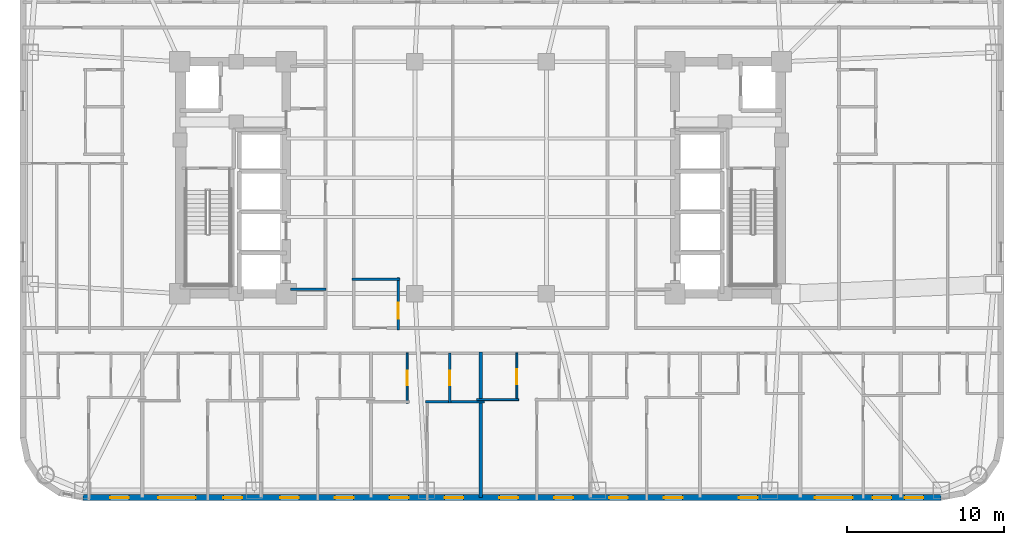
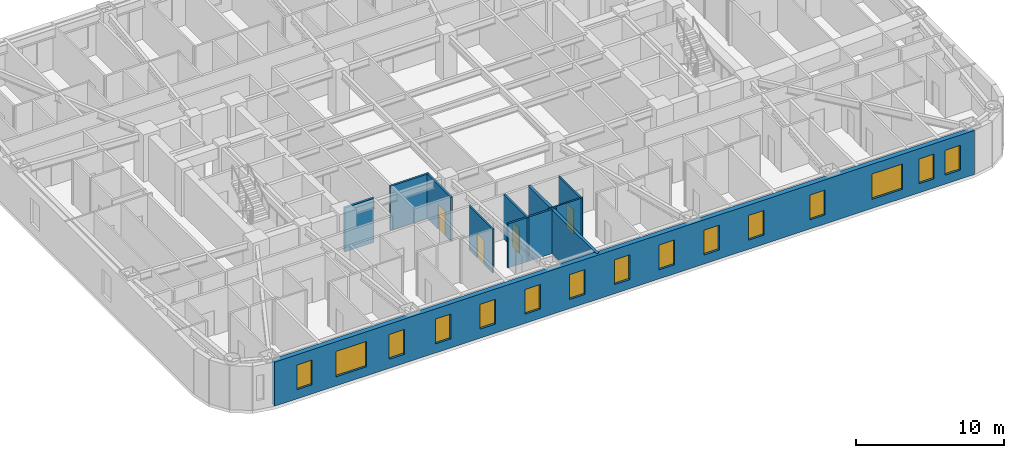
# One storey, part 4 of 13: 15 windows, 10 walls, 4 doors, 19 openings.
"""IFC4 building model written with IfcOpenShell, lengths in metres."""

import ifcopenshell
import ifcopenshell.guid

model = None  # the IFC model being written
_history = None  # IfcOwnerHistory: only IFC2X3 demands one
_inside = {}  # id of a spatial element -> (the spatial element, [elements in it])
_under = {}  # id of a project, library or spatial element -> (it, [spatial elements below it])
_declared = {}  # id of a project -> (the project, [libraries it declares])
_typed = {}  # id of a type object -> (the type object, [elements of that type])
_made_of = {}  # id of a material, layer set ... -> (it, [elements and type objects made of it])


def new_model(schema):
    """Start an empty IFC model of exactly this schema.

    Asked for "IFC4X3", IfcOpenShell would pick the latest addendum, in which some entities
    have other attributes; the version numbers below select the first issue.
    IFC2X3 requires an IfcOwnerHistory on every rooted entity: one is made here for all.
    """
    global model, _history
    if schema == "IFC4X3":
        model = ifcopenshell.file(schema_version=(4, 3, 0, 0))
    else:
        model = ifcopenshell.file(schema=schema)
    _inside.clear()
    _under.clear()
    _declared.clear()
    _typed.clear()
    _made_of.clear()
    _history = None
    if model.schema == "IFC2X3":
        org = make("IfcOrganization", Name="unknown")
        user = make(
            "IfcPersonAndOrganization",
            ThePerson=make("IfcPerson", FamilyName="unknown"),
            TheOrganization=org,
        )
        app = make(
            "IfcApplication",
            ApplicationDeveloper=org,
            Version="unknown",
            ApplicationFullName="unknown",
            ApplicationIdentifier="unknown",
        )
        _history = make(
            "IfcOwnerHistory",
            OwningUser=user,
            OwningApplication=app,
            ChangeAction="ADDED",
            CreationDate=0,
        )
    return model


def make(cls, **values):
    """One entity of the class cls with the attributes given. An attribute that is None is left unset."""
    return model.create_entity(
        cls, **{name: value for name, value in values.items() if value is not None}
    )


def rooted(cls, **values):
    """An entity with a GlobalId (a new one), such as an element, a storey or a relation."""
    return make(cls, GlobalId=ifcopenshell.guid.new(), OwnerHistory=_history, **values)


def si_unit(unit_type, name, prefix=None):
    """IfcSIUnit, for example si_unit("LENGTHUNIT", "METRE", prefix="MILLI")."""
    return make("IfcSIUnit", UnitType=unit_type, Prefix=prefix, Name=name)


def assignment(units):
    """IfcUnitAssignment: the units of a project."""
    return None if units is None else make("IfcUnitAssignment", Units=units)


def point(xyz):
    """IfcCartesianPoint."""
    return None if xyz is None else make("IfcCartesianPoint", Coordinates=xyz)


def direction(xyz):
    """IfcDirection."""
    return None if xyz is None else make("IfcDirection", DirectionRatios=xyz)


def frame(location, z_axis=None, x_axis=None):
    """IfcAxis2Placement3D, a coordinate frame: its origin and axes. An axis left out is left unset."""
    return make(
        "IfcAxis2Placement3D",
        Location=point(location),
        Axis=direction(z_axis),
        RefDirection=direction(x_axis),
    )


def frame_2d(location, x_axis=None):
    """IfcAxis2Placement2D, a coordinate frame in the plane: its origin and x axis."""
    return make(
        "IfcAxis2Placement2D", Location=point(location), RefDirection=direction(x_axis)
    )


def origin():
    """The frame at (0, 0, 0) with its axes left unset."""
    return frame((0.0, 0.0, 0.0))


def place(relative_to, where):
    """IfcLocalPlacement: puts the frame where relative to a parent placement (None: the world)."""
    return make(
        "IfcLocalPlacement", PlacementRelTo=relative_to, RelativePlacement=where
    )


def context(
    kind, dimensions, precision=None, world=None, true_north=None, identifier=None
):
    """IfcGeometricRepresentationContext, for example the 3D "Model" context."""
    return make(
        "IfcGeometricRepresentationContext",
        ContextIdentifier=identifier,
        ContextType=kind,
        CoordinateSpaceDimension=dimensions,
        Precision=precision,
        WorldCoordinateSystem=world,
        TrueNorth=true_north,
    )


def subcontext(parent, identifier, kind, view, scale=None):
    """IfcGeometricRepresentationSubContext, for example "Body" below "Model"."""
    return make(
        "IfcGeometricRepresentationSubContext",
        ContextIdentifier=identifier,
        ContextType=kind,
        ParentContext=parent,
        TargetScale=scale,
        TargetView=view,
    )


def project(units=None, contexts=None):
    """IfcProject with its units and contexts."""
    return rooted(
        "IfcProject",
        Name="project",
        RepresentationContexts=contexts,
        UnitsInContext=assignment(units),
    )


def spatial(cls, under=None, at=None, **own):
    """A site, building, storey or space (cls), placed at a placement, below another one or the project."""
    s = rooted(cls, ObjectPlacement=at, **own)
    if under is not None:
        _under.setdefault(under.id(), (under, []))[1].append(s)
    return s


def profile(cls, at=None, kind="AREA", **sizes):
    """A parametric profile (cls). Its sizes go by their IFC names, for example OverallWidth=200.0."""
    return make(cls, ProfileType=kind, Position=at, **sizes)


def rectangle(**sizes):
    """IfcRectangleProfileDef."""
    return profile("IfcRectangleProfileDef", **sizes)


def extrude(swept, where, along, depth):
    """IfcExtrudedAreaSolid: the profile swept, set in the frame where, extruded along a direction by depth."""
    return make(
        "IfcExtrudedAreaSolid",
        SweptArea=swept,
        Position=where,
        ExtrudedDirection=direction(along),
        Depth=depth,
    )


def shape(context_of_items, identifier, shape_type, items):
    """IfcShapeRepresentation: the items that make up one representation, for example the "Body"."""
    return make(
        "IfcShapeRepresentation",
        ContextOfItems=context_of_items,
        RepresentationIdentifier=identifier,
        RepresentationType=shape_type,
        Items=items,
    )


def material(Name=None, Category=None):
    """IfcMaterial."""
    return make("IfcMaterial", Name=Name, Category=Category)


def layer(
    of_material, thickness, ventilated=None, Name=None, Category=None, Priority=None
):
    """IfcMaterialLayer: one layer of a wall or slab, of a material (None: an air gap)."""
    return make(
        "IfcMaterialLayer",
        Material=of_material,
        LayerThickness=thickness,
        IsVentilated=ventilated,
        Name=Name,
        Category=Category,
        Priority=Priority,
    )


def layer_set(layers, Name=None):
    """IfcMaterialLayerSet."""
    return make("IfcMaterialLayerSet", MaterialLayers=layers, LayerSetName=Name)


def made_of(thing, what):
    """Note that an element or type object is made of a material, layer set ...; save() writes the relation."""
    if what is not None:
        _made_of.setdefault(what.id(), (what, []))[1].append(thing)
    return thing


def type_object(cls, material=None, **own):
    """A type object (cls), such as IfcWallType, which elements share."""
    return made_of(rooted(cls, **own), material)


def element(
    cls,
    number,
    at=None,
    inside=None,
    cuts=None,
    type_object=None,
    material=None,
    context=None,
    identifier="Body",
    shape_type=None,
    held_by="IfcProductDefinitionShape",
    body=None,
    shapes=None,
    **own,
):
    """One element of the class cls, such as IfcWall. Its Tag is "e" and its number.

    at: its placement. inside: the storey or other place that contains it. cuts: it is an
    opening in that element (IfcRelVoidsElement). A single representation is given by context,
    identifier, shape_type and body (its items); several are given by shapes. held_by: the class
    of the entity that holds the representations. save() writes the other relations.
    """
    e = rooted(cls, Tag="e%d" % number, ObjectPlacement=at, **own)
    if body is not None:
        shapes = [shape(context, identifier, shape_type, body)]
    if shapes is not None:
        e.Representation = make(held_by, Representations=shapes)
    if inside is not None:
        _inside.setdefault(inside.id(), (inside, []))[1].append(e)
    if cuts is not None:
        rooted(
            "IfcRelVoidsElement", RelatingBuildingElement=cuts, RelatedOpeningElement=e
        )
    if type_object is not None:
        _typed.setdefault(type_object.id(), (type_object, []))[1].append(e)
    return made_of(e, material)


def fill(opening, filler):
    """IfcRelFillsElement: the door or window that sits in an opening."""
    return rooted(
        "IfcRelFillsElement",
        RelatingOpeningElement=opening,
        RelatedBuildingElement=filler,
    )


def aggregate(whole, parts):
    """IfcRelAggregates: a whole, such as a stair, and the parts it consists of."""
    return rooted("IfcRelAggregates", RelatingObject=whole, RelatedObjects=parts)


def save(model, path):
    """Write the relations noted so far, then the file.

    IfcRelAggregates (storeys below a building ...), IfcRelContainedInSpatialStructure (elements
    in a storey), IfcRelDefinesByType, IfcRelAssociatesMaterial and IfcRelDeclares: one each for
    every whole, place, type object, material and project.
    """
    for whole, parts in _under.values():
        aggregate(whole, parts)
    for where, things in _inside.values():
        rooted(
            "IfcRelContainedInSpatialStructure",
            RelatedElements=things,
            RelatingStructure=where,
        )
    for kind, things in _typed.values():
        rooted("IfcRelDefinesByType", RelatedObjects=things, RelatingType=kind)
    for what, things in _made_of.values():
        rooted("IfcRelAssociatesMaterial", RelatedObjects=things, RelatingMaterial=what)
    for by, libraries in _declared.values():
        rooted("IfcRelDeclares", RelatingContext=by, RelatedDefinitions=libraries)
    model.write(path)


model = new_model("IFC4")

# Units and contexts
model_context = context("Model", 3, precision=1e-05, world=origin(), true_north=direction((0.0, 1.0)))
body_context = subcontext(model_context, "Body", "Model", "MODEL_VIEW")
ifc_project = project(units=[si_unit("LENGTHUNIT", "METRE"), si_unit("AREAUNIT", "SQUARE_METRE"), si_unit("VOLUMEUNIT", "CUBIC_METRE"), si_unit("PLANEANGLEUNIT", "RADIAN"), si_unit("MASSUNIT", "GRAM", prefix="KILO")], contexts=[model_context])

# Site, building, storey
site_placement = place(None, origin())
site = spatial("IfcSite", under=ifc_project, at=site_placement, CompositionType="ELEMENT")
building_placement = place(site_placement, origin())
building = spatial("IfcBuilding", under=site, at=building_placement, Name="Voryun Gate Residences", CompositionType="ELEMENT")
storey_placement = place(building_placement, frame((0.0, 0.0, 120.89990234375)))
storey = spatial("IfcBuildingStorey", under=building, at=storey_placement, Name="L29", CompositionType="ELEMENT", Elevation=120.89990234375)

# Wall
ifc_material_1 = material(Name="Gypsum acoustic fireboard")
ifc_layer_1 = layer(ifc_material_1, 0.179931640625, Name="W_CORR_RATED_180")
ifc_layer_set_1 = layer_set([ifc_layer_1], Name="Gypsum acoustic fireboard")
wall_type_1 = type_object("IfcWallType", Name="W_CORR_RATED_180", PredefinedType="PARTITIONING", material=ifc_layer_set_1)
wall_1_placement = place(storey_placement, frame((-12.14990234375, -7.1201171875, 0.0), z_axis=(0.0, 0.0, 1.0), x_axis=(1.0, 0.0, 0.0)))
element("IfcWall", 1, at=wall_1_placement, inside=storey, type_object=wall_type_1, Name="Partition wall WP-L29-PLBS-W", PredefinedType="PARTITIONING", context=body_context, shape_type="SweptSolid", body=[
    extrude(rectangle(XDim=2.27001953125, YDim=0.179931640625, at=frame_2d((1.135009765625, 0.0))), origin(), (0.0, 0.0, 1.0), 3.650146484375),
])

# Wall, openings, windows
ifc_material_2 = material(Name="Granite masonry", Category="masonry")
ifc_layer_2 = layer(ifc_material_2, 0.3798828125, Name="W_EXT_GRANITE_380")
ifc_layer_set_2 = layer_set([ifc_layer_2], Name="Granite masonry")
wall_type_2 = type_object("IfcWallType", Name="W_EXT_GRANITE_380", PredefinedType="ELEMENTEDWALL", material=ifc_layer_set_2)
wall_2_placement = place(storey_placement, frame((29.38134765625, -20.409912109375, 0.0), z_axis=(0.0, 0.0, 1.0), x_axis=(-1.0, 0.0, 0.0)))
wall_2 = element("IfcWall", 2, at=wall_2_placement, inside=storey, type_object=wall_type_2, Name="Exterior wall WEXT-L29-01", PredefinedType="ELEMENTEDWALL", context=body_context, shape_type="SweptSolid", body=[
    extrude(rectangle(XDim=54.7626953125, YDim=0.3798828125, at=frame_2d((27.38134765625, 0.0))), origin(), (0.0, 0.0, 1.0), 3.650146484375),
])
opening_1_placement = place(wall_2_placement, frame((5.645263671875, 0.0, 0.75)))
opening_1 = element("IfcOpeningElement", 3, at=opening_1_placement, cuts=wall_2, Name="Opening WN2", PredefinedType="OPENING", context=body_context, shape_type="SweptSolid", body=[
    extrude(rectangle(XDim=2.39990234375, YDim=2.10009765625, at=frame_2d((1.199951171875, 1.050048828125))), frame((0.0, 0.199951171875, 0.0), z_axis=(0.0, -1.0, 0.0), x_axis=(1.0, 0.0, 0.0)), (0.0, 0.0, 1.0), 0.39990234375),
])
opening_2_placement = place(wall_2_placement, frame((47.5673828125, 0.0, 0.75)))
opening_2 = element("IfcOpeningElement", 4, at=opening_2_placement, cuts=wall_2, Name="Opening WN2", PredefinedType="OPENING", context=body_context, shape_type="SweptSolid", body=[
    extrude(rectangle(XDim=2.39990234375, YDim=2.10009765625, at=frame_2d((1.199951171875, 1.050048828125))), frame((0.0, 0.199951171875, 0.0), z_axis=(0.0, -1.0, 0.0), x_axis=(1.0, 0.0, 0.0)), (0.0, 0.0, 1.0), 0.39990234375),
])
opening_3_placement = place(wall_2_placement, frame((51.831298828125, 0.0, 0.75)))
opening_3 = element("IfcOpeningElement", 5, at=opening_3_placement, cuts=wall_2, Name="Opening WN6", PredefinedType="OPENING", context=body_context, shape_type="SweptSolid", body=[
    extrude(rectangle(XDim=1.199951171875, YDim=2.050048828125, at=frame_2d((0.60009765625, 1.02490234375))), frame((0.0, 0.199951171875, 0.0), z_axis=(0.0, -1.0, 0.0), x_axis=(1.0, 0.0, 0.0)), (0.0, 0.0, 1.0), 0.39990234375),
])
opening_4_placement = place(wall_2_placement, frame((44.606201171875, 0.0, 0.75)))
opening_4 = element("IfcOpeningElement", 6, at=opening_4_placement, cuts=wall_2, Name="Opening WN6", PredefinedType="OPENING", context=body_context, shape_type="SweptSolid", body=[
    extrude(rectangle(XDim=1.199951171875, YDim=2.050048828125, at=frame_2d((0.60009765625, 1.02490234375))), frame((0.0, 0.199951171875, 0.0), z_axis=(0.0, -1.0, 0.0), x_axis=(1.0, 0.0, 0.0)), (0.0, 0.0, 1.0), 0.39990234375),
])
opening_5_placement = place(wall_2_placement, frame((40.986328125, 0.0, 0.75)))
opening_5 = element("IfcOpeningElement", 7, at=opening_5_placement, cuts=wall_2, Name="Opening WN6", PredefinedType="OPENING", context=body_context, shape_type="SweptSolid", body=[
    extrude(rectangle(XDim=1.199951171875, YDim=2.050048828125, at=frame_2d((0.60009765625, 1.02490234375))), frame((0.0, 0.199951171875, 0.0), z_axis=(0.0, -1.0, 0.0), x_axis=(1.0, 0.0, 0.0)), (0.0, 0.0, 1.0), 0.39990234375),
])
opening_6_placement = place(wall_2_placement, frame((37.486328125, 0.0, 0.75)))
opening_6 = element("IfcOpeningElement", 8, at=opening_6_placement, cuts=wall_2, Name="Opening WN6", PredefinedType="OPENING", context=body_context, shape_type="SweptSolid", body=[
    extrude(rectangle(XDim=1.199951171875, YDim=2.050048828125, at=frame_2d((0.60009765625, 1.02490234375))), frame((0.0, 0.199951171875, 0.0), z_axis=(0.0, -1.0, 0.0), x_axis=(1.0, 0.0, 0.0)), (0.0, 0.0, 1.0), 0.39990234375),
])
opening_7_placement = place(wall_2_placement, frame((33.986328125, 0.0, 0.75)))
opening_7 = element("IfcOpeningElement", 9, at=opening_7_placement, cuts=wall_2, Name="Opening WN6", PredefinedType="OPENING", context=body_context, shape_type="SweptSolid", body=[
    extrude(rectangle(XDim=1.199951171875, YDim=2.050048828125, at=frame_2d((0.60009765625, 1.02490234375))), frame((0.0, 0.199951171875, 0.0), z_axis=(0.0, -1.0, 0.0), x_axis=(1.0, 0.0, 0.0)), (0.0, 0.0, 1.0), 0.39990234375),
])
opening_8_placement = place(wall_2_placement, frame((30.486328125, 0.0, 0.75)))
opening_8 = element("IfcOpeningElement", 10, at=opening_8_placement, cuts=wall_2, Name="Opening WN6", PredefinedType="OPENING", context=body_context, shape_type="SweptSolid", body=[
    extrude(rectangle(XDim=1.199951171875, YDim=2.050048828125, at=frame_2d((0.60009765625, 1.02490234375))), frame((0.0, 0.199951171875, 0.0), z_axis=(0.0, -1.0, 0.0), x_axis=(1.0, 0.0, 0.0)), (0.0, 0.0, 1.0), 0.39990234375),
])
opening_9_placement = place(wall_2_placement, frame((26.986328125, 0.0, 0.75)))
opening_9 = element("IfcOpeningElement", 11, at=opening_9_placement, cuts=wall_2, Name="Opening WN6", PredefinedType="OPENING", context=body_context, shape_type="SweptSolid", body=[
    extrude(rectangle(XDim=1.199951171875, YDim=2.050048828125, at=frame_2d((0.60009765625, 1.02490234375))), frame((0.0, 0.199951171875, 0.0), z_axis=(0.0, -1.0, 0.0), x_axis=(1.0, 0.0, 0.0)), (0.0, 0.0, 1.0), 0.39990234375),
])
opening_10_placement = place(wall_2_placement, frame((23.486328125, 0.0, 0.75)))
opening_10 = element("IfcOpeningElement", 12, at=opening_10_placement, cuts=wall_2, Name="Opening WN6", PredefinedType="OPENING", context=body_context, shape_type="SweptSolid", body=[
    extrude(rectangle(XDim=1.199951171875, YDim=2.050048828125, at=frame_2d((0.60009765625, 1.02490234375))), frame((0.0, 0.199951171875, 0.0), z_axis=(0.0, -1.0, 0.0), x_axis=(1.0, 0.0, 0.0)), (0.0, 0.0, 1.0), 0.39990234375),
])
opening_11_placement = place(wall_2_placement, frame((19.986328125, 0.0, 0.75)))
opening_11 = element("IfcOpeningElement", 13, at=opening_11_placement, cuts=wall_2, Name="Opening WN6", PredefinedType="OPENING", context=body_context, shape_type="SweptSolid", body=[
    extrude(rectangle(XDim=1.199951171875, YDim=2.050048828125, at=frame_2d((0.60009765625, 1.02490234375))), frame((0.0, 0.199951171875, 0.0), z_axis=(0.0, -1.0, 0.0), x_axis=(1.0, 0.0, 0.0)), (0.0, 0.0, 1.0), 0.39990234375),
])
opening_12_placement = place(wall_2_placement, frame((16.486328125, 0.0, 0.75)))
opening_12 = element("IfcOpeningElement", 14, at=opening_12_placement, cuts=wall_2, Name="Opening WN6", PredefinedType="OPENING", context=body_context, shape_type="SweptSolid", body=[
    extrude(rectangle(XDim=1.199951171875, YDim=2.050048828125, at=frame_2d((0.60009765625, 1.02490234375))), frame((0.0, 0.199951171875, 0.0), z_axis=(0.0, -1.0, 0.0), x_axis=(1.0, 0.0, 0.0)), (0.0, 0.0, 1.0), 0.39990234375),
])
opening_13_placement = place(wall_2_placement, frame((11.6982421875, 0.0, 0.75)))
opening_13 = element("IfcOpeningElement", 15, at=opening_13_placement, cuts=wall_2, Name="Opening WN6", PredefinedType="OPENING", context=body_context, shape_type="SweptSolid", body=[
    extrude(rectangle(XDim=1.199951171875, YDim=2.050048828125, at=frame_2d((0.60009765625, 1.02490234375))), frame((0.0, 0.199951171875, 0.0), z_axis=(0.0, -1.0, 0.0), x_axis=(1.0, 0.0, 0.0)), (0.0, 0.0, 1.0), 0.39990234375),
])
opening_14_placement = place(wall_2_placement, frame((3.171875, 0.0, 0.75)))
opening_14 = element("IfcOpeningElement", 16, at=opening_14_placement, cuts=wall_2, Name="Opening WN6", PredefinedType="OPENING", context=body_context, shape_type="SweptSolid", body=[
    extrude(rectangle(XDim=1.199951171875, YDim=2.050048828125, at=frame_2d((0.60009765625, 1.02490234375))), frame((0.0, 0.199951171875, 0.0), z_axis=(0.0, -1.0, 0.0), x_axis=(1.0, 0.0, 0.0)), (0.0, 0.0, 1.0), 0.39990234375),
])
opening_15_placement = place(wall_2_placement, frame((1.129638671875, 0.0, 0.75)))
opening_15 = element("IfcOpeningElement", 17, at=opening_15_placement, cuts=wall_2, Name="Opening WN6", PredefinedType="OPENING", context=body_context, shape_type="SweptSolid", body=[
    extrude(rectangle(XDim=1.199951171875, YDim=2.050048828125, at=frame_2d((0.60009765625, 1.02490234375))), frame((0.0, 0.199951171875, 0.0), z_axis=(0.0, -1.0, 0.0), x_axis=(1.0, 0.0, 0.0)), (0.0, 0.0, 1.0), 0.39990234375),
])
ifc_material_3 = material(Name="Laminated low-E glass", Category="glass")
window_type_1 = type_object("IfcWindowType", Name="WN_POD_SLOT_1200", PartitioningType="SINGLE_PANEL", PredefinedType="WINDOW", material=ifc_material_3)
window_1_placement = place(opening_3_placement, origin())
window_1 = element("IfcWindow", 18, at=window_1_placement, inside=storey, type_object=window_type_1, Name="Window WN-L29-DWFIX-17", OverallHeight=2.050048828125, OverallWidth=1.199951171875, PartitioningType="SINGLE_PANEL", PredefinedType="WINDOW", context=body_context, shape_type="SweptSolid", body=[
    extrude(rectangle(XDim=1.199951171875, YDim=2.050048828125, at=frame_2d((0.60009765625, 1.02490234375))), frame((0.0, 0.030029296875, 0.0), z_axis=(0.0, -1.0, 0.0), x_axis=(1.0, 0.0, 0.0)), (0.0, 0.0, 1.0), 0.06005859375),
])
fill(opening_3, window_1)
window_2_placement = place(opening_4_placement, origin())
window_2 = element("IfcWindow", 19, at=window_2_placement, inside=storey, type_object=window_type_1, Name="Window WN-L29-DWFIX-18", OverallHeight=2.050048828125, OverallWidth=1.199951171875, PartitioningType="SINGLE_PANEL", PredefinedType="WINDOW", context=body_context, shape_type="SweptSolid", body=[
    extrude(rectangle(XDim=1.199951171875, YDim=2.050048828125, at=frame_2d((0.60009765625, 1.02490234375))), frame((0.0, 0.030029296875, 0.0), z_axis=(0.0, -1.0, 0.0), x_axis=(1.0, 0.0, 0.0)), (0.0, 0.0, 1.0), 0.06005859375),
])
fill(opening_4, window_2)
window_3_placement = place(opening_5_placement, origin())
window_3 = element("IfcWindow", 20, at=window_3_placement, inside=storey, type_object=window_type_1, Name="Window WN-L29-DWFIX-19", OverallHeight=2.050048828125, OverallWidth=1.199951171875, PartitioningType="SINGLE_PANEL", PredefinedType="WINDOW", context=body_context, shape_type="SweptSolid", body=[
    extrude(rectangle(XDim=1.199951171875, YDim=2.050048828125, at=frame_2d((0.60009765625, 1.02490234375))), frame((0.0, 0.030029296875, 0.0), z_axis=(0.0, -1.0, 0.0), x_axis=(1.0, 0.0, 0.0)), (0.0, 0.0, 1.0), 0.06005859375),
])
fill(opening_5, window_3)
window_4_placement = place(opening_6_placement, origin())
window_4 = element("IfcWindow", 21, at=window_4_placement, inside=storey, type_object=window_type_1, Name="Window WN-L29-DWFIX-20", OverallHeight=2.050048828125, OverallWidth=1.199951171875, PartitioningType="SINGLE_PANEL", PredefinedType="WINDOW", context=body_context, shape_type="SweptSolid", body=[
    extrude(rectangle(XDim=1.199951171875, YDim=2.050048828125, at=frame_2d((0.60009765625, 1.02490234375))), frame((0.0, 0.030029296875, 0.0), z_axis=(0.0, -1.0, 0.0), x_axis=(1.0, 0.0, 0.0)), (0.0, 0.0, 1.0), 0.06005859375),
])
fill(opening_6, window_4)
window_5_placement = place(opening_7_placement, origin())
window_5 = element("IfcWindow", 22, at=window_5_placement, inside=storey, type_object=window_type_1, Name="Window WN-L29-DWFIX-21", OverallHeight=2.050048828125, OverallWidth=1.199951171875, PartitioningType="SINGLE_PANEL", PredefinedType="WINDOW", context=body_context, shape_type="SweptSolid", body=[
    extrude(rectangle(XDim=1.199951171875, YDim=2.050048828125, at=frame_2d((0.60009765625, 1.02490234375))), frame((0.0, 0.030029296875, 0.0), z_axis=(0.0, -1.0, 0.0), x_axis=(1.0, 0.0, 0.0)), (0.0, 0.0, 1.0), 0.06005859375),
])
fill(opening_7, window_5)
window_6_placement = place(opening_8_placement, origin())
window_6 = element("IfcWindow", 23, at=window_6_placement, inside=storey, type_object=window_type_1, Name="Window WN-L29-DWFIX-22", OverallHeight=2.050048828125, OverallWidth=1.199951171875, PartitioningType="SINGLE_PANEL", PredefinedType="WINDOW", context=body_context, shape_type="SweptSolid", body=[
    extrude(rectangle(XDim=1.199951171875, YDim=2.050048828125, at=frame_2d((0.60009765625, 1.02490234375))), frame((0.0, 0.030029296875, 0.0), z_axis=(0.0, -1.0, 0.0), x_axis=(1.0, 0.0, 0.0)), (0.0, 0.0, 1.0), 0.06005859375),
])
fill(opening_8, window_6)
window_7_placement = place(opening_9_placement, origin())
window_7 = element("IfcWindow", 24, at=window_7_placement, inside=storey, type_object=window_type_1, Name="Window WN-L29-DWFIX-23", OverallHeight=2.050048828125, OverallWidth=1.199951171875, PartitioningType="SINGLE_PANEL", PredefinedType="WINDOW", context=body_context, shape_type="SweptSolid", body=[
    extrude(rectangle(XDim=1.199951171875, YDim=2.050048828125, at=frame_2d((0.60009765625, 1.02490234375))), frame((0.0, 0.030029296875, 0.0), z_axis=(0.0, -1.0, 0.0), x_axis=(1.0, 0.0, 0.0)), (0.0, 0.0, 1.0), 0.06005859375),
])
fill(opening_9, window_7)
window_8_placement = place(opening_10_placement, origin())
window_8 = element("IfcWindow", 25, at=window_8_placement, inside=storey, type_object=window_type_1, Name="Window WN-L29-DWFIX-24", OverallHeight=2.050048828125, OverallWidth=1.199951171875, PartitioningType="SINGLE_PANEL", PredefinedType="WINDOW", context=body_context, shape_type="SweptSolid", body=[
    extrude(rectangle(XDim=1.199951171875, YDim=2.050048828125, at=frame_2d((0.60009765625, 1.02490234375))), frame((0.0, 0.030029296875, 0.0), z_axis=(0.0, -1.0, 0.0), x_axis=(1.0, 0.0, 0.0)), (0.0, 0.0, 1.0), 0.06005859375),
])
fill(opening_10, window_8)
window_9_placement = place(opening_11_placement, origin())
window_9 = element("IfcWindow", 26, at=window_9_placement, inside=storey, type_object=window_type_1, Name="Window WN-L29-DWFIX-25", OverallHeight=2.050048828125, OverallWidth=1.199951171875, PartitioningType="SINGLE_PANEL", PredefinedType="WINDOW", context=body_context, shape_type="SweptSolid", body=[
    extrude(rectangle(XDim=1.199951171875, YDim=2.050048828125, at=frame_2d((0.60009765625, 1.02490234375))), frame((0.0, 0.030029296875, 0.0), z_axis=(0.0, -1.0, 0.0), x_axis=(1.0, 0.0, 0.0)), (0.0, 0.0, 1.0), 0.06005859375),
])
fill(opening_11, window_9)
window_10_placement = place(opening_12_placement, origin())
window_10 = element("IfcWindow", 27, at=window_10_placement, inside=storey, type_object=window_type_1, Name="Window WN-L29-DWFIX-26", OverallHeight=2.050048828125, OverallWidth=1.199951171875, PartitioningType="SINGLE_PANEL", PredefinedType="WINDOW", context=body_context, shape_type="SweptSolid", body=[
    extrude(rectangle(XDim=1.199951171875, YDim=2.050048828125, at=frame_2d((0.60009765625, 1.02490234375))), frame((0.0, 0.030029296875, 0.0), z_axis=(0.0, -1.0, 0.0), x_axis=(1.0, 0.0, 0.0)), (0.0, 0.0, 1.0), 0.06005859375),
])
fill(opening_12, window_10)
window_11_placement = place(opening_13_placement, origin())
window_11 = element("IfcWindow", 28, at=window_11_placement, inside=storey, type_object=window_type_1, Name="Window WN-L29-DWFIX-27", OverallHeight=2.050048828125, OverallWidth=1.199951171875, PartitioningType="SINGLE_PANEL", PredefinedType="WINDOW", context=body_context, shape_type="SweptSolid", body=[
    extrude(rectangle(XDim=1.199951171875, YDim=2.050048828125, at=frame_2d((0.60009765625, 1.02490234375))), frame((0.0, 0.030029296875, 0.0), z_axis=(0.0, -1.0, 0.0), x_axis=(1.0, 0.0, 0.0)), (0.0, 0.0, 1.0), 0.06005859375),
])
fill(opening_13, window_11)
window_12_placement = place(opening_14_placement, origin())
window_12 = element("IfcWindow", 29, at=window_12_placement, inside=storey, type_object=window_type_1, Name="Window WN-L29-DWFIX-28", OverallHeight=2.050048828125, OverallWidth=1.199951171875, PartitioningType="SINGLE_PANEL", PredefinedType="WINDOW", context=body_context, shape_type="SweptSolid", body=[
    extrude(rectangle(XDim=1.199951171875, YDim=2.050048828125, at=frame_2d((0.60009765625, 1.02490234375))), frame((0.0, 0.030029296875, 0.0), z_axis=(0.0, -1.0, 0.0), x_axis=(1.0, 0.0, 0.0)), (0.0, 0.0, 1.0), 0.06005859375),
])
fill(opening_14, window_12)
window_13_placement = place(opening_15_placement, origin())
window_13 = element("IfcWindow", 30, at=window_13_placement, inside=storey, type_object=window_type_1, Name="Window WN-L29-DWFIX-29", OverallHeight=2.050048828125, OverallWidth=1.199951171875, PartitioningType="SINGLE_PANEL", PredefinedType="WINDOW", context=body_context, shape_type="SweptSolid", body=[
    extrude(rectangle(XDim=1.199951171875, YDim=2.050048828125, at=frame_2d((0.60009765625, 1.02490234375))), frame((0.0, 0.030029296875, 0.0), z_axis=(0.0, -1.0, 0.0), x_axis=(1.0, 0.0, 0.0)), (0.0, 0.0, 1.0), 0.06005859375),
])
fill(opening_15, window_13)
ifc_material_4 = material(Name="Laminated low-E glass", Category="glass")
window_type_2 = type_object("IfcWindowType", Name="WN_RES_WIDE_2400", PartitioningType="SINGLE_PANEL", PredefinedType="WINDOW", material=ifc_material_4)
window_14_placement = place(opening_1_placement, origin())
window_14 = element("IfcWindow", 31, at=window_14_placement, inside=storey, type_object=window_type_2, Name="Window WN-WEXT-L29-01-01", OverallHeight=2.10009765625, OverallWidth=2.39990234375, PartitioningType="SINGLE_PANEL", PredefinedType="WINDOW", context=body_context, shape_type="SweptSolid", body=[
    extrude(rectangle(XDim=2.39990234375, YDim=2.10009765625, at=frame_2d((1.199951171875, 1.050048828125))), frame((0.0, 0.030029296875, 0.0), z_axis=(0.0, -1.0, 0.0), x_axis=(1.0, 0.0, 0.0)), (0.0, 0.0, 1.0), 0.06005859375),
])
fill(opening_1, window_14)
window_15_placement = place(opening_2_placement, origin())
window_15 = element("IfcWindow", 32, at=window_15_placement, inside=storey, type_object=window_type_2, Name="Window WN-WEXT-L29-01-04", OverallHeight=2.10009765625, OverallWidth=2.39990234375, PartitioningType="SINGLE_PANEL", PredefinedType="WINDOW", context=body_context, shape_type="SweptSolid", body=[
    extrude(rectangle(XDim=2.39990234375, YDim=2.10009765625, at=frame_2d((1.199951171875, 1.050048828125))), frame((0.0, 0.030029296875, 0.0), z_axis=(0.0, -1.0, 0.0), x_axis=(1.0, 0.0, 0.0)), (0.0, 0.0, 1.0), 0.06005859375),
])
fill(opening_2, window_15)

# Wall
ifc_material_5 = material(Name="Concrete C40/50", Category="concrete")
ifc_layer_3 = layer(ifc_material_5, 0.219970703125, Name="W_PARTY_ACOUSTIC_220")
ifc_layer_set_3 = layer_set([ifc_layer_3], Name="Concrete C40/50")
wall_type_3 = type_object("IfcWallType", Name="W_PARTY_ACOUSTIC_220", PredefinedType="PARTITIONING", material=ifc_layer_set_3)
wall_3_placement = place(storey_placement, frame((0.0, -20.409912109375, 0.0), z_axis=(0.0, 0.0, 1.0), x_axis=(0.0, 1.0, 0.0)))
element("IfcWall", 33, at=wall_3_placement, inside=storey, type_object=wall_type_3, Name="Partition wall WP-L29-SPTY-4", PredefinedType="PARTITIONING", context=body_context, shape_type="SweptSolid", body=[
    extrude(rectangle(XDim=9.289794921875, YDim=0.219970703125, at=frame_2d((4.64501953125, 0.0))), origin(), (0.0, 0.0, 1.0), 3.650146484375),
])

# Wall, opening, door
ifc_material_6 = material(Name="Gypsum acoustic partition")
ifc_layer_4 = layer(ifc_material_6, 0.125, Name="W_UNIT_PART_125")
ifc_layer_set_4 = layer_set([ifc_layer_4], Name="Gypsum acoustic partition")
wall_type_4 = type_object("IfcWallType", Name="W_UNIT_PART_125", PredefinedType="PARTITIONING", material=ifc_layer_set_4)
wall_4_placement = place(storey_placement, frame((-4.68994140625, -14.381103515625, 0.0), z_axis=(0.0, 0.0, 1.0), x_axis=(0.0, 1.0, 0.0)))
wall_4 = element("IfcWall", 34, at=wall_4_placement, inside=storey, type_object=wall_type_4, Name="Partition wall WP-L29-S4-IVK", PredefinedType="PARTITIONING", context=body_context, shape_type="SweptSolid", body=[
    extrude(rectangle(XDim=3.201171875, YDim=0.125, at=frame_2d((1.6005859375, 0.0))), origin(), (0.0, 0.0, 1.0), 3.650146484375),
])
opening_16_placement = place(wall_4_placement, frame((1.12548828125, 0.0, 0.0)))
opening_16 = element("IfcOpeningElement", 35, at=opening_16_placement, cuts=wall_4, Name="Opening D-INT-1", PredefinedType="OPENING", context=body_context, shape_type="SweptSolid", body=[
    extrude(rectangle(XDim=0.949951171875, YDim=2.050048828125, at=frame_2d((0.47509765625, 1.02490234375))), frame((0.0, 0.072509765625, 0.0), z_axis=(0.0, -1.0, 0.0), x_axis=(1.0, 0.0, 0.0)), (0.0, 0.0, 1.0), 0.14501953125),
])
ifc_material_7 = material(Name="Architectural oak veneer")
door_type_1 = type_object("IfcDoorType", Name="DR_INT_ROOM_950", OperationType="NOTDEFINED", PredefinedType="DOOR", material=ifc_material_7)
door_1_placement = place(opening_16_placement, origin())
door_1 = element("IfcDoor", 36, at=door_1_placement, inside=storey, type_object=door_type_1, Name="Door DR-L29-S4-DK", OperationType="SINGLE_SWING_LEFT", OverallHeight=2.050048828125, OverallWidth=0.949951171875, PredefinedType="DOOR", context=body_context, shape_type="SweptSolid", body=[
    extrude(rectangle(XDim=0.949951171875, YDim=2.050048828125, at=frame_2d((0.47509765625, 1.02490234375))), frame((0.0, 0.02490234375, 0.0), z_axis=(0.0, -1.0, 0.0), x_axis=(1.0, 0.0, 0.0)), (0.0, 0.0, 1.0), 0.050048828125),
])
fill(opening_16, door_1)

wall_5_placement = place(storey_placement, frame((2.31005859375, -14.242919921875, 0.0), z_axis=(0.0, 0.0, 1.0), x_axis=(0.0, 1.0, 0.0)))
wall_5 = element("IfcWall", 37, at=wall_5_placement, inside=storey, type_object=wall_type_4, Name="Partition wall WP-L29-S5-IVK", PredefinedType="PARTITIONING", context=body_context, shape_type="SweptSolid", body=[
    extrude(rectangle(XDim=3.06298828125, YDim=0.125, at=frame_2d((1.531494140625, 0.0))), origin(), (0.0, 0.0, 1.0), 3.650146484375),
])
opening_17_placement = place(wall_5_placement, frame((1.056396484375, 0.0, 0.0)))
opening_17 = element("IfcOpeningElement", 38, at=opening_17_placement, cuts=wall_5, Name="Opening D-INT-1", PredefinedType="OPENING", context=body_context, shape_type="SweptSolid", body=[
    extrude(rectangle(XDim=0.949951171875, YDim=2.050048828125, at=frame_2d((0.47509765625, 1.02490234375))), frame((0.0, 0.072509765625, 0.0), z_axis=(0.0, -1.0, 0.0), x_axis=(1.0, 0.0, 0.0)), (0.0, 0.0, 1.0), 0.14501953125),
])
door_2_placement = place(opening_17_placement, origin())
door_2 = element("IfcDoor", 39, at=door_2_placement, inside=storey, type_object=door_type_1, Name="Door DR-L29-S5-DK", OperationType="SINGLE_SWING_LEFT", OverallHeight=2.050048828125, OverallWidth=0.949951171875, PredefinedType="DOOR", context=body_context, shape_type="SweptSolid", body=[
    extrude(rectangle(XDim=0.949951171875, YDim=2.050048828125, at=frame_2d((0.47509765625, 1.02490234375))), frame((0.0, 0.02490234375, 0.0), z_axis=(0.0, -1.0, 0.0), x_axis=(1.0, 0.0, 0.0)), (0.0, 0.0, 1.0), 0.050048828125),
])
fill(opening_17, door_2)

# Wall
wall_6_placement = place(storey_placement, frame((-0.260009765625, -14.1630859375, 0.0), z_axis=(0.0, 0.0, 1.0), x_axis=(1.0, 0.0, 0.0)))
element("IfcWall", 40, at=wall_6_placement, inside=storey, type_object=wall_type_4, Name="Partition wall WP-L29-S5-HZK", PredefinedType="PARTITIONING", context=body_context, shape_type="SweptSolid", body=[
    extrude(rectangle(XDim=2.68994140625, YDim=0.125, at=frame_2d((1.344970703125, 0.0))), origin(), (0.0, 0.0, 1.0), 3.650146484375),
])

# Wall, opening, door
ifc_material_8 = material(Name="Gypsum moisture-resistant partition")
ifc_layer_5 = layer(ifc_material_8, 0.14990234375, Name="W_WET_PLUMB_150")
ifc_layer_set_5 = layer_set([ifc_layer_5], Name="Gypsum moisture-resistant partition")
wall_type_5 = type_object("IfcWallType", Name="W_WET_PLUMB_150", PredefinedType="PLUMBINGWALL", material=ifc_layer_set_5)
wall_7_placement = place(storey_placement, frame((-5.260009765625, -9.719970703125, 0.0), z_axis=(0.0, 0.0, 1.0), x_axis=(0.0, 1.0, 0.0)))
wall_7 = element("IfcWall", 41, at=wall_7_placement, inside=storey, type_object=wall_type_5, Name="Partition wall WP-L29-CMWCX", PredefinedType="PLUMBINGWALL", context=body_context, shape_type="SweptSolid", body=[
    extrude(rectangle(XDim=3.349853515625, YDim=0.14990234375, at=frame_2d((1.6748046875, 0.0))), origin(), (0.0, 0.0, 1.0), 3.650146484375),
])
opening_18_placement = place(wall_7_placement, frame((0.735107421875, 0.0, 0.0)))
opening_18 = element("IfcOpeningElement", 42, at=opening_18_placement, cuts=wall_7, Name="Opening D-AWC-1", PredefinedType="OPENING", context=body_context, shape_type="SweptSolid", body=[
    extrude(rectangle(XDim=1.0, YDim=2.050048828125, at=frame_2d((0.5, 1.02490234375))), frame((0.0, 0.0849609375, 0.0), z_axis=(0.0, -1.0, 0.0), x_axis=(1.0, 0.0, 0.0)), (0.0, 0.0, 1.0), 0.169921875),
])
ifc_material_9 = material(Name="Architectural oak veneer")
door_type_2 = type_object("IfcDoorType", Name="DR_ACC_WC_1000", OperationType="NOTDEFINED", PredefinedType="DOOR", material=ifc_material_9)
door_3_placement = place(opening_18_placement, origin())
door_3 = element("IfcDoor", 43, at=door_3_placement, inside=storey, type_object=door_type_2, Name="Door DR-L29-CMWC", OperationType="SINGLE_SWING_LEFT", OverallHeight=2.050048828125, OverallWidth=1.0, PredefinedType="DOOR", context=body_context, shape_type="SweptSolid", body=[
    extrude(rectangle(XDim=1.0, YDim=2.050048828125, at=frame_2d((0.5, 1.02490234375))), frame((0.0, 0.02490234375, 0.0), z_axis=(0.0, -1.0, 0.0), x_axis=(1.0, 0.0, 0.0)), (0.0, 0.0, 1.0), 0.050048828125),
])
fill(opening_18, door_3)

# Walls
wall_8_placement = place(storey_placement, frame((-8.2099609375, -6.469970703125, 0.0), z_axis=(0.0, 0.0, 1.0), x_axis=(1.0, 0.0, 0.0)))
element("IfcWall", 44, at=wall_8_placement, inside=storey, type_object=wall_type_5, Name="Partition wall WP-L29-CMWCY", PredefinedType="PLUMBINGWALL", context=body_context, shape_type="SweptSolid", body=[
    extrude(rectangle(XDim=3.050048828125, YDim=0.14990234375, at=frame_2d((1.52490234375, 0.0))), origin(), (0.0, 0.0, 1.0), 3.650146484375),
])
wall_9_placement = place(storey_placement, frame((-3.530029296875, -14.301025390625, 0.0), z_axis=(0.0, 0.0, 1.0), x_axis=(1.0, 0.0, 0.0)))
element("IfcWall", 45, at=wall_9_placement, inside=storey, type_object=wall_type_5, Name="Partition wall WP-L29-S4-HZB", PredefinedType="PLUMBINGWALL", context=body_context, shape_type="SweptSolid", body=[
    extrude(rectangle(XDim=3.7900390625, YDim=0.14990234375, at=frame_2d((1.89501953125, 0.0))), origin(), (0.0, 0.0, 1.0), 3.650146484375),
])

# Wall, opening, door
wall_10_placement = place(storey_placement, frame((-1.97998046875, -14.381103515625, 0.0), z_axis=(0.0, 0.0, 1.0), x_axis=(0.0, 1.0, 0.0)))
wall_10 = element("IfcWall", 46, at=wall_10_placement, inside=storey, type_object=wall_type_5, Name="Partition wall WP-L29-S4-IVB", PredefinedType="PLUMBINGWALL", context=body_context, shape_type="SweptSolid", body=[
    extrude(rectangle(XDim=3.201171875, YDim=0.14990234375, at=frame_2d((1.6005859375, 0.0))), origin(), (0.0, 0.0, 1.0), 3.650146484375),
])
opening_19_placement = place(wall_10_placement, frame((1.150390625, 0.0, 0.0)))
opening_19 = element("IfcOpeningElement", 47, at=opening_19_placement, cuts=wall_10, Name="Opening D-INT-2", PredefinedType="OPENING", context=body_context, shape_type="SweptSolid", body=[
    extrude(rectangle(XDim=0.89990234375, YDim=2.050048828125, at=frame_2d((0.449951171875, 1.02490234375))), frame((0.0, 0.0849609375, 0.0), z_axis=(0.0, -1.0, 0.0), x_axis=(1.0, 0.0, 0.0)), (0.0, 0.0, 1.0), 0.169921875),
])
ifc_material_10 = material(Name="Architectural oak veneer")
door_type_3 = type_object("IfcDoorType", Name="DR_INT_BATH_900", OperationType="NOTDEFINED", PredefinedType="DOOR", material=ifc_material_10)
door_4_placement = place(opening_19_placement, origin())
door_4 = element("IfcDoor", 48, at=door_4_placement, inside=storey, type_object=door_type_3, Name="Door DR-L29-S4-DB", OperationType="SINGLE_SWING_RIGHT", OverallHeight=2.050048828125, OverallWidth=0.89990234375, PredefinedType="DOOR", context=body_context, shape_type="SweptSolid", body=[
    extrude(rectangle(XDim=0.89990234375, YDim=2.050048828125, at=frame_2d((0.449951171875, 1.02490234375))), frame((0.0, 0.02490234375, 0.0), z_axis=(0.0, -1.0, 0.0), x_axis=(1.0, 0.0, 0.0)), (0.0, 0.0, 1.0), 0.050048828125),
])
fill(opening_19, door_4)

save(model, "model.ifc")
